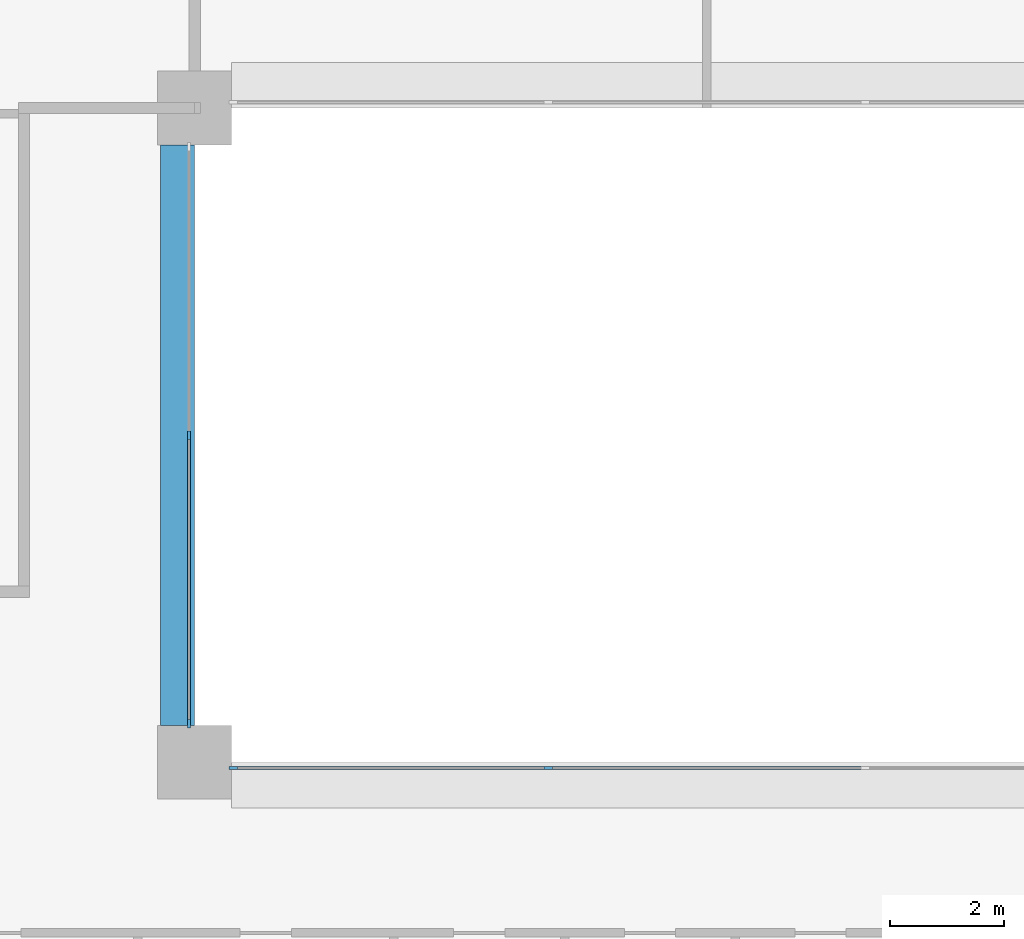
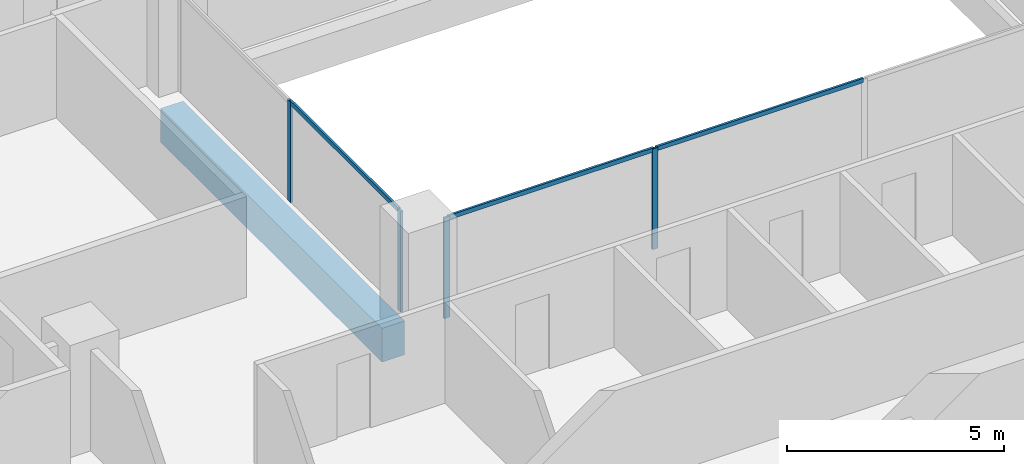
# One storey, part 2 of 16: 7 members, 1 beam, 2 elements without a shape of their own.
"""IFC4 building model written with IfcOpenShell, lengths in metres."""

from ifc_helpers import new_model, si_unit, direction, frame, origin, origin_2d, place, context, subcontext, project, spatial, rectangle, extrude, material, layer, layer_set, material_profile, profile_set, type_object, element, aggregate, save


model = new_model("IFC4")

# Units and contexts
model_context = context("Model", 3, precision=1e-05, world=origin(), true_north=direction((0.0, 1.0)))
body_context = subcontext(model_context, "Body", "Model", "MODEL_VIEW")
ifc_project = project(units=[si_unit("LENGTHUNIT", "METRE"), si_unit("AREAUNIT", "SQUARE_METRE"), si_unit("VOLUMEUNIT", "CUBIC_METRE"), si_unit("PLANEANGLEUNIT", "RADIAN"), si_unit("MASSUNIT", "GRAM", prefix="KILO")], contexts=[model_context])

# Site, building, storey
site_placement = place(None, origin())
site = spatial("IfcSite", under=ifc_project, at=site_placement, CompositionType="ELEMENT")
building_placement = place(site_placement, origin())
building = spatial("IfcBuilding", under=site, at=building_placement, Name="Brigalow Station Residences", CompositionType="ELEMENT")
storey_placement = place(building_placement, frame((0.0, 0.0, 105.60009765625)))
storey = spatial("IfcBuildingStorey", under=building, at=storey_placement, Name="L30", CompositionType="ELEMENT", Elevation=105.60009765625)

# Beam
ifc_material_1 = material(Name="Concrete C65", Category="concrete")
ifc_material_profile_1 = material_profile(ifc_material_1, rectangle(XDim=0.60009765625, YDim=0.949951171875, at=origin_2d()), Name="RC600x950")
ifc_profile_set_1 = profile_set([ifc_material_profile_1], Name="Concrete C65")
beam_type = type_object("IfcBeamType", Name="ATRIUM EDGE GIRDER 600x950 C65", PredefinedType="BEAM", material=ifc_profile_set_1)
beam_placement = place(storey_placement, frame((26.699951171875, 24.64990234375, -0.795166015625), z_axis=(0.0, 1.0, 0.0), x_axis=(-1.0, 0.0, 0.0)))
element("IfcBeam", 1, at=beam_placement, inside=storey, type_object=beam_type, Name="ATRIUM EDGE GIRDER 3 L30", PredefinedType="BEAM", context=body_context, shape_type="SweptSolid", body=[
    extrude(rectangle(XDim=0.60009765625, YDim=0.949951171875, at=origin_2d()), origin(), (0.0, 0.0, 1.0), 10.2001953125),
])

# Curtain wall, members
ifc_material_2 = material(Name="Aluminium", Category="aluminium")
ifc_layer = layer(ifc_material_2, 0.14990234375)
ifc_layer_set = layer_set([ifc_layer], Name="ATRIUM FIRE-RATED GLAZING CURTAIN WALL")
curtain_wall_type = type_object("IfcCurtainWallType", Name="ATRIUM FIRE-RATED GLAZING CURTAIN WALL", PredefinedType="NOTDEFINED", material=ifc_layer_set)
curtain_wall_1_placement = place(storey_placement, origin())
curtain_wall_1 = element("IfcCurtainWall", 2, at=curtain_wall_1_placement, inside=storey, type_object=curtain_wall_type, Name="L30/cw/atrium-S", PredefinedType="NOTDEFINED")
ifc_material_3 = material(Name="Aluminium", Category="aluminium")
ifc_material_profile_2 = material_profile(ifc_material_3, rectangle(XDim=0.06005859375, YDim=0.14990234375, at=origin_2d()), Name="ATRIUM FIRE-RATED GLAZING MULLION 60x150")
ifc_profile_set_2 = profile_set([ifc_material_profile_2], Name="Aluminium")
member_type_1 = type_object("IfcMemberType", Name="ATRIUM FIRE-RATED GLAZING MULLION 60x150", PredefinedType="MULLION", material=ifc_profile_set_2)
member_1_placement = place(storey_placement, frame((27.679931640625, 23.89990234375, 0.0), z_axis=(0.0, 0.0, 1.0), x_axis=(0.0, 1.0, 0.0)))
member_1 = element("IfcMember", 3, at=member_1_placement, type_object=member_type_1, Name="L30/cw/atrium-S/M00", PredefinedType="MULLION", context=body_context, shape_type="SweptSolid", body=[
    extrude(rectangle(XDim=0.06005859375, YDim=0.14990234375, at=origin_2d()), origin(), (0.0, 0.0, 1.0), 2.829833984375),
])
member_2_placement = place(storey_placement, frame((33.216796875, 23.89990234375, 0.0), z_axis=(0.0, 0.0, 1.0), x_axis=(0.0, 1.0, 0.0)))
member_2 = element("IfcMember", 4, at=member_2_placement, type_object=member_type_1, Name="L30/cw/atrium-S/M01", PredefinedType="MULLION", context=body_context, shape_type="SweptSolid", body=[
    extrude(rectangle(XDim=0.06005859375, YDim=0.14990234375, at=origin_2d()), origin(), (0.0, 0.0, 1.0), 2.829833984375),
])

curtain_wall_2_placement = place(storey_placement, origin())
curtain_wall_2 = element("IfcCurtainWall", 5, at=curtain_wall_2_placement, inside=storey, type_object=curtain_wall_type, Name="L30/cw/atrium-W", PredefinedType="NOTDEFINED")
member_3_placement = place(storey_placement, frame((26.89990234375, 29.75, 0.0), z_axis=(0.0, 0.0, 1.0), x_axis=(1.0, 0.0, 0.0)))
member_3 = element("IfcMember", 6, at=member_3_placement, type_object=member_type_1, Name="L30/cw/atrium-W/M01", PredefinedType="MULLION", context=body_context, shape_type="SweptSolid", body=[
    extrude(rectangle(XDim=0.06005859375, YDim=0.14990234375, at=origin_2d()), origin(), (0.0, 0.0, 1.0), 2.829833984375),
])
member_4_placement = place(storey_placement, frame((26.89990234375, 24.679931640625, 0.0), z_axis=(0.0, 0.0, 1.0), x_axis=(1.0, 0.0, 0.0)))
member_4 = element("IfcMember", 7, at=member_4_placement, type_object=member_type_1, Name="L30/cw/atrium-W/M02", PredefinedType="MULLION", context=body_context, shape_type="SweptSolid", body=[
    extrude(rectangle(XDim=0.06005859375, YDim=0.14990234375, at=origin_2d()), origin(), (0.0, 0.0, 1.0), 2.829833984375),
])

# Member
ifc_material_4 = material(Name="Aluminium", Category="aluminium")
ifc_material_profile_3 = material_profile(ifc_material_4, rectangle(XDim=0.06005859375, YDim=0.1201171875, at=origin_2d()), Name="ATRIUM FIRE-RATED GLAZING TRANSOM 60x120")
ifc_profile_set_3 = profile_set([ifc_material_profile_3], Name="Aluminium")
member_type_2 = type_object("IfcMemberType", Name="ATRIUM FIRE-RATED GLAZING TRANSOM 60x120", PredefinedType="USERDEFINED", material=ifc_profile_set_3)
member_5_placement = place(storey_placement, frame((27.7099609375, 23.89990234375, 2.7998046875), z_axis=(1.0, 0.0, 0.0), x_axis=(0.0, 1.0, 0.0)))
member_5 = element("IfcMember", 8, at=member_5_placement, type_object=member_type_2, Name="L30/cw/atrium-S/T00-00", ObjectType="TRANSOM", PredefinedType="USERDEFINED", context=body_context, shape_type="SweptSolid", body=[
    extrude(rectangle(XDim=0.06005859375, YDim=0.1201171875, at=origin_2d()), origin(), (0.0, 0.0, 1.0), 5.476806640625),
])

member_6_placement = place(storey_placement, frame((33.24658203125, 23.89990234375, 2.7998046875), z_axis=(1.0, 0.0, 0.0), x_axis=(0.0, 1.0, 0.0)))
member_6 = element("IfcMember", 9, at=member_6_placement, type_object=member_type_2, Name="L30/cw/atrium-S/T01-00", ObjectType="TRANSOM", PredefinedType="USERDEFINED", context=body_context, shape_type="SweptSolid", body=[
    extrude(rectangle(XDim=0.06005859375, YDim=0.1201171875, at=origin_2d()), origin(), (0.0, 0.0, 1.0), 5.5068359375),
])

aggregate(curtain_wall_1, [member_1, member_2, member_5, member_6])

member_7_placement = place(storey_placement, frame((26.89990234375, 29.719970703125, 2.7998046875), z_axis=(0.0, -1.0, 0.0), x_axis=(1.0, 0.0, 0.0)))
member_7 = element("IfcMember", 10, at=member_7_placement, type_object=member_type_2, Name="L30/cw/atrium-W/T01-00", ObjectType="TRANSOM", PredefinedType="USERDEFINED", context=body_context, shape_type="SweptSolid", body=[
    extrude(rectangle(XDim=0.06005859375, YDim=0.1201171875, at=origin_2d()), origin(), (0.0, 0.0, 1.0), 5.010009765625),
])

aggregate(curtain_wall_2, [member_3, member_4, member_7])

save(model, "model.ifc")
